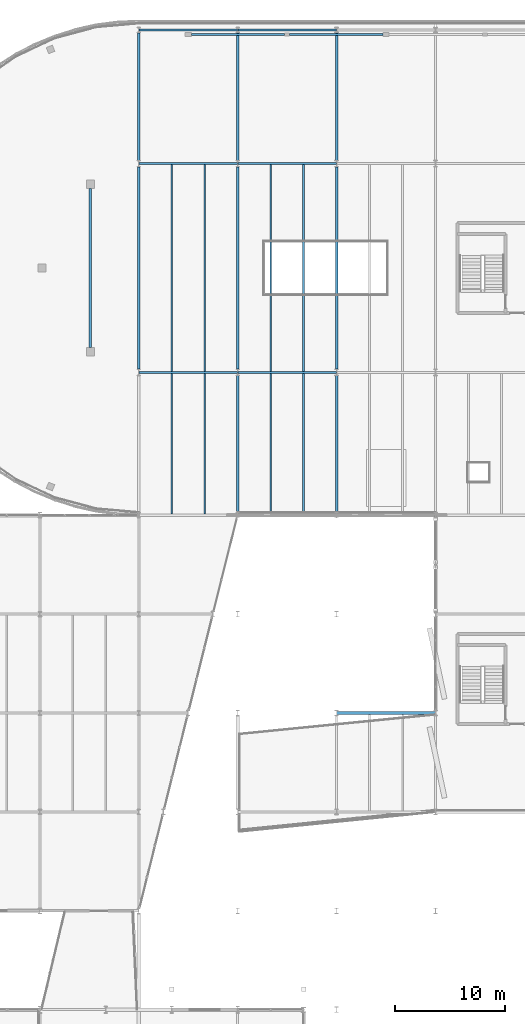
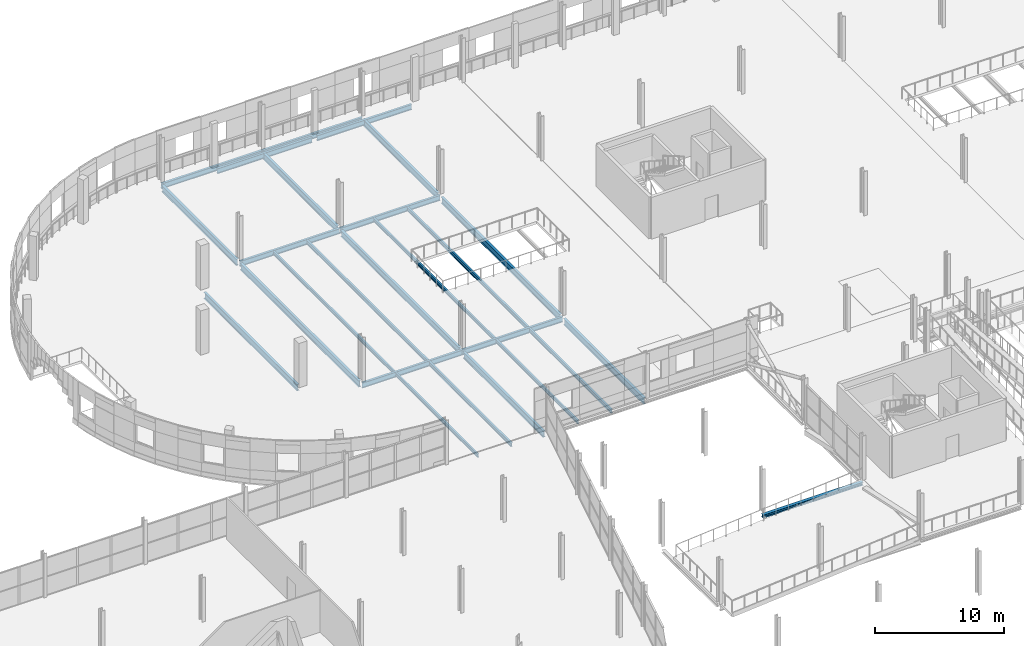
# One storey, part 71 of 135: 26 beams.
"""IFC4 building model written with IfcOpenShell, lengths in metres."""

import ifcopenshell
import ifcopenshell.guid

model = None  # the IFC model being written
_history = None  # IfcOwnerHistory: only IFC2X3 demands one
_inside = {}  # id of a spatial element -> (the spatial element, [elements in it])
_under = {}  # id of a project, library or spatial element -> (it, [spatial elements below it])
_declared = {}  # id of a project -> (the project, [libraries it declares])
_typed = {}  # id of a type object -> (the type object, [elements of that type])
_made_of = {}  # id of a material, layer set ... -> (it, [elements and type objects made of it])


def new_model(schema):
    """Start an empty IFC model of exactly this schema.

    Asked for "IFC4X3", IfcOpenShell would pick the latest addendum, in which some entities
    have other attributes; the version numbers below select the first issue.
    IFC2X3 requires an IfcOwnerHistory on every rooted entity: one is made here for all.
    """
    global model, _history
    if schema == "IFC4X3":
        model = ifcopenshell.file(schema_version=(4, 3, 0, 0))
    else:
        model = ifcopenshell.file(schema=schema)
    _inside.clear()
    _under.clear()
    _declared.clear()
    _typed.clear()
    _made_of.clear()
    _history = None
    if model.schema == "IFC2X3":
        org = make("IfcOrganization", Name="unknown")
        user = make(
            "IfcPersonAndOrganization",
            ThePerson=make("IfcPerson", FamilyName="unknown"),
            TheOrganization=org,
        )
        app = make(
            "IfcApplication",
            ApplicationDeveloper=org,
            Version="unknown",
            ApplicationFullName="unknown",
            ApplicationIdentifier="unknown",
        )
        _history = make(
            "IfcOwnerHistory",
            OwningUser=user,
            OwningApplication=app,
            ChangeAction="ADDED",
            CreationDate=0,
        )
    return model


def make(cls, **values):
    """One entity of the class cls with the attributes given. An attribute that is None is left unset."""
    return model.create_entity(
        cls, **{name: value for name, value in values.items() if value is not None}
    )


def rooted(cls, **values):
    """An entity with a GlobalId (a new one), such as an element, a storey or a relation."""
    return make(cls, GlobalId=ifcopenshell.guid.new(), OwnerHistory=_history, **values)


def si_unit(unit_type, name, prefix=None):
    """IfcSIUnit, for example si_unit("LENGTHUNIT", "METRE", prefix="MILLI")."""
    return make("IfcSIUnit", UnitType=unit_type, Prefix=prefix, Name=name)


def assignment(units):
    """IfcUnitAssignment: the units of a project."""
    return None if units is None else make("IfcUnitAssignment", Units=units)


def point(xyz):
    """IfcCartesianPoint."""
    return None if xyz is None else make("IfcCartesianPoint", Coordinates=xyz)


def direction(xyz):
    """IfcDirection."""
    return None if xyz is None else make("IfcDirection", DirectionRatios=xyz)


def frame(location, z_axis=None, x_axis=None):
    """IfcAxis2Placement3D, a coordinate frame: its origin and axes. An axis left out is left unset."""
    return make(
        "IfcAxis2Placement3D",
        Location=point(location),
        Axis=direction(z_axis),
        RefDirection=direction(x_axis),
    )


def frame_2d(location, x_axis=None):
    """IfcAxis2Placement2D, a coordinate frame in the plane: its origin and x axis."""
    return make(
        "IfcAxis2Placement2D", Location=point(location), RefDirection=direction(x_axis)
    )


def origin():
    """The frame at (0, 0, 0) with its axes left unset."""
    return frame((0.0, 0.0, 0.0))


def origin_2d():
    """The frame at (0, 0) in the plane with its x axis left unset."""
    return frame_2d((0.0, 0.0))


def place(relative_to, where):
    """IfcLocalPlacement: puts the frame where relative to a parent placement (None: the world)."""
    return make(
        "IfcLocalPlacement", PlacementRelTo=relative_to, RelativePlacement=where
    )


def context(
    kind, dimensions, precision=None, world=None, true_north=None, identifier=None
):
    """IfcGeometricRepresentationContext, for example the 3D "Model" context."""
    return make(
        "IfcGeometricRepresentationContext",
        ContextIdentifier=identifier,
        ContextType=kind,
        CoordinateSpaceDimension=dimensions,
        Precision=precision,
        WorldCoordinateSystem=world,
        TrueNorth=true_north,
    )


def subcontext(parent, identifier, kind, view, scale=None):
    """IfcGeometricRepresentationSubContext, for example "Body" below "Model"."""
    return make(
        "IfcGeometricRepresentationSubContext",
        ContextIdentifier=identifier,
        ContextType=kind,
        ParentContext=parent,
        TargetScale=scale,
        TargetView=view,
    )


def project(units=None, contexts=None):
    """IfcProject with its units and contexts."""
    return rooted(
        "IfcProject",
        Name="project",
        RepresentationContexts=contexts,
        UnitsInContext=assignment(units),
    )


def spatial(cls, under=None, at=None, **own):
    """A site, building, storey or space (cls), placed at a placement, below another one or the project."""
    s = rooted(cls, ObjectPlacement=at, **own)
    if under is not None:
        _under.setdefault(under.id(), (under, []))[1].append(s)
    return s


def profile(cls, at=None, kind="AREA", **sizes):
    """A parametric profile (cls). Its sizes go by their IFC names, for example OverallWidth=200.0."""
    return make(cls, ProfileType=kind, Position=at, **sizes)


def i_section(**sizes):
    """IfcIShapeProfileDef."""
    return profile("IfcIShapeProfileDef", **sizes)


def extrude(swept, where, along, depth):
    """IfcExtrudedAreaSolid: the profile swept, set in the frame where, extruded along a direction by depth."""
    return make(
        "IfcExtrudedAreaSolid",
        SweptArea=swept,
        Position=where,
        ExtrudedDirection=direction(along),
        Depth=depth,
    )


def shape(context_of_items, identifier, shape_type, items):
    """IfcShapeRepresentation: the items that make up one representation, for example the "Body"."""
    return make(
        "IfcShapeRepresentation",
        ContextOfItems=context_of_items,
        RepresentationIdentifier=identifier,
        RepresentationType=shape_type,
        Items=items,
    )


def material(Name=None, Category=None):
    """IfcMaterial."""
    return make("IfcMaterial", Name=Name, Category=Category)


def material_profile(
    of_material, cross_section, Name=None, Category=None, Priority=None
):
    """IfcMaterialProfile: a cross section and its material."""
    return make(
        "IfcMaterialProfile",
        Name=Name,
        Material=of_material,
        Profile=cross_section,
        Priority=Priority,
        Category=Category,
    )


def profile_set(profiles, Name=None, composite=None):
    """IfcMaterialProfileSet."""
    return make(
        "IfcMaterialProfileSet",
        Name=Name,
        MaterialProfiles=profiles,
        CompositeProfile=composite,
    )


def made_of(thing, what):
    """Note that an element or type object is made of a material, layer set ...; save() writes the relation."""
    if what is not None:
        _made_of.setdefault(what.id(), (what, []))[1].append(thing)
    return thing


def type_object(cls, material=None, **own):
    """A type object (cls), such as IfcWallType, which elements share."""
    return made_of(rooted(cls, **own), material)


def element(
    cls,
    number,
    at=None,
    inside=None,
    cuts=None,
    type_object=None,
    material=None,
    context=None,
    identifier="Body",
    shape_type=None,
    held_by="IfcProductDefinitionShape",
    body=None,
    shapes=None,
    **own,
):
    """One element of the class cls, such as IfcWall. Its Tag is "e" and its number.

    at: its placement. inside: the storey or other place that contains it. cuts: it is an
    opening in that element (IfcRelVoidsElement). A single representation is given by context,
    identifier, shape_type and body (its items); several are given by shapes. held_by: the class
    of the entity that holds the representations. save() writes the other relations.
    """
    e = rooted(cls, Tag="e%d" % number, ObjectPlacement=at, **own)
    if body is not None:
        shapes = [shape(context, identifier, shape_type, body)]
    if shapes is not None:
        e.Representation = make(held_by, Representations=shapes)
    if inside is not None:
        _inside.setdefault(inside.id(), (inside, []))[1].append(e)
    if cuts is not None:
        rooted(
            "IfcRelVoidsElement", RelatingBuildingElement=cuts, RelatedOpeningElement=e
        )
    if type_object is not None:
        _typed.setdefault(type_object.id(), (type_object, []))[1].append(e)
    return made_of(e, material)


def aggregate(whole, parts):
    """IfcRelAggregates: a whole, such as a stair, and the parts it consists of."""
    return rooted("IfcRelAggregates", RelatingObject=whole, RelatedObjects=parts)


def save(model, path):
    """Write the relations noted so far, then the file.

    IfcRelAggregates (storeys below a building ...), IfcRelContainedInSpatialStructure (elements
    in a storey), IfcRelDefinesByType, IfcRelAssociatesMaterial and IfcRelDeclares: one each for
    every whole, place, type object, material and project.
    """
    for whole, parts in _under.values():
        aggregate(whole, parts)
    for where, things in _inside.values():
        rooted(
            "IfcRelContainedInSpatialStructure",
            RelatedElements=things,
            RelatingStructure=where,
        )
    for kind, things in _typed.values():
        rooted("IfcRelDefinesByType", RelatedObjects=things, RelatingType=kind)
    for what, things in _made_of.values():
        rooted("IfcRelAssociatesMaterial", RelatedObjects=things, RelatingMaterial=what)
    for by, libraries in _declared.values():
        rooted("IfcRelDeclares", RelatingContext=by, RelatedDefinitions=libraries)
    model.write(path)


model = new_model("IFC4")

# Units and contexts
model_context = context("Model", 3, precision=1e-05, world=origin(), true_north=direction((0.0, 1.0)))
body_context = subcontext(model_context, "Body", "Model", "MODEL_VIEW")
ifc_project = project(units=[si_unit("LENGTHUNIT", "METRE"), si_unit("AREAUNIT", "SQUARE_METRE"), si_unit("VOLUMEUNIT", "CUBIC_METRE"), si_unit("PLANEANGLEUNIT", "RADIAN"), si_unit("MASSUNIT", "GRAM", prefix="KILO")], contexts=[model_context])

# Site, building, storey
site_placement = place(None, origin())
site = spatial("IfcSite", under=ifc_project, at=site_placement, CompositionType="ELEMENT")
building_placement = place(site_placement, origin())
building = spatial("IfcBuilding", under=site, at=building_placement, Name="Deido Ridge Mobility Hub", CompositionType="ELEMENT")
storey_placement = place(building_placement, frame((0.0, 0.0, 4.199951171875)))
storey = spatial("IfcBuildingStorey", under=building, at=storey_placement, Name="L01", CompositionType="ELEMENT", Elevation=4.199951171875)

# Beams
ifc_material = material(Name="Steel S355J2 EN 10025-2", Category="steel")
ifc_material_profile_1 = material_profile(ifc_material, i_section(OverallWidth=0.199951171875, OverallDepth=0.5, WebThickness=0.01025390625, FlangeThickness=0.01611328125, FilletRadius=0.02099609375, at=origin_2d()), Name="IPE 500")
ifc_profile_set_1 = profile_set([ifc_material_profile_1], Name="Steel S355J2 EN 10025-2")
beam_type_1 = type_object("IfcBeamType", Name="BM-IPE500", PredefinedType="BEAM", material=ifc_profile_set_1)
for number, where, z_axis, x_axis, name in (
    (1, (45.0078125, 94.0, -0.5), (1.0, 0.0, 0.0), (0.0, 1.0, 0.0), "Floor beam B3"),
    (2, (54.0078125, 94.0, -0.5), (1.0, 0.0, 0.0), (0.0, 1.0, 0.0), "Floor beam B3"),
    (3, (45.0078125, 113.0, -0.5), (1.0, 0.0, 0.0), (0.0, 1.0, 0.0), "Floor beam B3"),
    (4, (54.0078125, 113.0, -0.5), (1.0, 0.0, 0.0), (0.0, 1.0, 0.0), "Floor beam B3"),
):
    element("IfcBeam", number, at=place(storey_placement, frame(where, z_axis=z_axis, x_axis=x_axis)), inside=storey, type_object=beam_type_1, Name=name, PredefinedType="BEAM", context=body_context, shape_type="SweptSolid", body=[
        extrude(i_section(OverallWidth=0.199951171875, OverallDepth=0.5, WebThickness=0.01025390625, FlangeThickness=0.01611328125, FilletRadius=0.02099609375, at=origin_2d()), origin(), (0.0, 0.0, 1.0), 8.984375),
    ])
for number, where, z_axis, x_axis, name in (
    (5, (45.007080078125, 125.14990234375, -0.5), (1.0, 0.0, 0.0), (0.0, 1.0, 0.0), "Floor beam B3"),
    (6, (54.007080078125, 125.14990234375, -0.5), (1.0, 0.0, 0.0), (0.0, 1.0, 0.0), "Floor beam B3"),
):
    element("IfcBeam", number, at=place(storey_placement, frame(where, z_axis=z_axis, x_axis=x_axis)), inside=storey, type_object=beam_type_1, Name=name, PredefinedType="BEAM", context=body_context, shape_type="SweptSolid", body=[
        extrude(i_section(OverallWidth=0.199951171875, OverallDepth=0.5, WebThickness=0.01025390625, FlangeThickness=0.01611328125, FilletRadius=0.02099609375, at=origin_2d()), origin(), (0.0, 0.0, 1.0), 8.98583984375),
    ])
for number, where, z_axis, x_axis, name in (
    (7, (49.77490234375, 124.75, -0.5), (1.0, 0.0, 0.0), (0.0, 1.0, 0.0), "Floor beam B3"),
    (8, (58.72509765625, 124.75, -0.5), (1.0, 0.0, 0.0), (0.0, 1.0, 0.0), "Floor beam B3"),
):
    element("IfcBeam", number, at=place(storey_placement, frame(where, z_axis=z_axis, x_axis=x_axis)), inside=storey, type_object=beam_type_1, Name=name, PredefinedType="BEAM", context=body_context, shape_type="SweptSolid", body=[
        extrude(i_section(OverallWidth=0.199951171875, OverallDepth=0.5, WebThickness=0.01025390625, FlangeThickness=0.01611328125, FilletRadius=0.02099609375, at=origin_2d()), origin(), (0.0, 0.0, 1.0), 8.5),
    ])
ifc_material_profile_2 = material_profile(ifc_material, i_section(OverallWidth=0.219970703125, OverallDepth=0.60009765625, WebThickness=0.011962890625, FlangeThickness=0.01904296875, FilletRadius=0.02392578125, at=origin_2d()), Name="IPE 600")
ifc_profile_set_2 = profile_set([ifc_material_profile_2], Name="Steel S355J2 EN 10025-2")
beam_type_2 = type_object("IfcBeamType", Name="BM-IPE600", PredefinedType="BEAM", material=ifc_profile_set_2)
beam_1_placement = place(storey_placement, frame((40.60009765625, 96.2548828125, -0.550048828125), z_axis=(0.0, 1.0, 0.0), x_axis=(-1.0, 0.0, 0.0)))
element("IfcBeam", 9, at=beam_1_placement, inside=storey, type_object=beam_type_2, Name="Floor beam B1", PredefinedType="BEAM", context=body_context, shape_type="SweptSolid", body=[
    extrude(i_section(OverallWidth=0.219970703125, OverallDepth=0.60009765625, WebThickness=0.011962890625, FlangeThickness=0.01904296875, FilletRadius=0.02392578125, at=origin_2d()), origin(), (0.0, 0.0, 1.0), 14.490234375),
])
beam_2_placement = place(storey_placement, frame((45.0, 94.300048828125, -0.550048828125), z_axis=(0.0, 1.0, 0.0), x_axis=(-1.0, 0.0, 0.0)))
element("IfcBeam", 10, at=beam_2_placement, inside=storey, type_object=beam_type_2, Name="Floor beam B1", PredefinedType="BEAM", context=body_context, shape_type="SweptSolid", body=[
    extrude(i_section(OverallWidth=0.219970703125, OverallDepth=0.60009765625, WebThickness=0.011962890625, FlangeThickness=0.01904296875, FilletRadius=0.02392578125, at=origin_2d()), origin(), (0.0, 0.0, 1.0), 18.39990234375),
])
beam_3_placement = place(storey_placement, frame((45.0, 113.300048828125, -0.550048828125), z_axis=(0.0, 1.0, 0.0), x_axis=(-1.0, 0.0, 0.0)))
element("IfcBeam", 11, at=beam_3_placement, inside=storey, type_object=beam_type_2, Name="Floor beam B1", PredefinedType="BEAM", context=body_context, shape_type="SweptSolid", body=[
    extrude(i_section(OverallWidth=0.219970703125, OverallDepth=0.60009765625, WebThickness=0.011962890625, FlangeThickness=0.01904296875, FilletRadius=0.02392578125, at=origin_2d()), origin(), (0.0, 0.0, 1.0), 11.599853515625),
])
beam_4_placement = place(storey_placement, frame((54.0, 81.25, -0.550048828125), z_axis=(0.0, 1.0, 0.0), x_axis=(-1.0, 0.0, 0.0)))
element("IfcBeam", 12, at=beam_4_placement, inside=storey, type_object=beam_type_2, Name="Floor beam B1", PredefinedType="BEAM", context=body_context, shape_type="SweptSolid", body=[
    extrude(i_section(OverallWidth=0.219970703125, OverallDepth=0.60009765625, WebThickness=0.011962890625, FlangeThickness=0.01904296875, FilletRadius=0.02392578125, at=origin_2d()), origin(), (0.0, 0.0, 1.0), 12.449951171875),
])
beam_5_placement = place(storey_placement, frame((54.0, 94.300048828125, -0.550048828125), z_axis=(0.0, 1.0, 0.0), x_axis=(-1.0, 0.0, 0.0)))
element("IfcBeam", 13, at=beam_5_placement, inside=storey, type_object=beam_type_2, Name="Floor beam B1", PredefinedType="BEAM", context=body_context, shape_type="SweptSolid", body=[
    extrude(i_section(OverallWidth=0.219970703125, OverallDepth=0.60009765625, WebThickness=0.011962890625, FlangeThickness=0.01904296875, FilletRadius=0.02392578125, at=origin_2d()), origin(), (0.0, 0.0, 1.0), 18.39990234375),
])
beam_6_placement = place(storey_placement, frame((54.0, 113.300048828125, -0.550048828125), z_axis=(0.0, 1.0, 0.0), x_axis=(-1.0, 0.0, 0.0)))
element("IfcBeam", 14, at=beam_6_placement, inside=storey, type_object=beam_type_2, Name="Floor beam B1", PredefinedType="BEAM", context=body_context, shape_type="SweptSolid", body=[
    extrude(i_section(OverallWidth=0.219970703125, OverallDepth=0.60009765625, WebThickness=0.011962890625, FlangeThickness=0.01904296875, FilletRadius=0.02392578125, at=origin_2d()), origin(), (0.0, 0.0, 1.0), 11.599853515625),
])
beam_7_placement = place(storey_placement, frame((63.0, 81.25, -0.550048828125), z_axis=(0.0, 1.0, 0.0), x_axis=(-1.0, 0.0, 0.0)))
element("IfcBeam", 15, at=beam_7_placement, inside=storey, type_object=beam_type_2, Name="Floor beam B1", PredefinedType="BEAM", context=body_context, shape_type="SweptSolid", body=[
    extrude(i_section(OverallWidth=0.219970703125, OverallDepth=0.60009765625, WebThickness=0.011962890625, FlangeThickness=0.01904296875, FilletRadius=0.02392578125, at=origin_2d()), origin(), (0.0, 0.0, 1.0), 12.449951171875),
])
beam_8_placement = place(storey_placement, frame((63.0, 94.300048828125, -0.550048828125), z_axis=(0.0, 1.0, 0.0), x_axis=(-1.0, 0.0, 0.0)))
element("IfcBeam", 16, at=beam_8_placement, inside=storey, type_object=beam_type_2, Name="Floor beam B1", PredefinedType="BEAM", context=body_context, shape_type="SweptSolid", body=[
    extrude(i_section(OverallWidth=0.219970703125, OverallDepth=0.60009765625, WebThickness=0.011962890625, FlangeThickness=0.01904296875, FilletRadius=0.02392578125, at=origin_2d()), origin(), (0.0, 0.0, 1.0), 18.39990234375),
])
beam_9_placement = place(storey_placement, frame((63.0, 113.300048828125, -0.550048828125), z_axis=(0.0, 1.0, 0.0), x_axis=(-1.0, 0.0, 0.0)))
element("IfcBeam", 17, at=beam_9_placement, inside=storey, type_object=beam_type_2, Name="Floor beam B1", PredefinedType="BEAM", context=body_context, shape_type="SweptSolid", body=[
    extrude(i_section(OverallWidth=0.219970703125, OverallDepth=0.60009765625, WebThickness=0.011962890625, FlangeThickness=0.01904296875, FilletRadius=0.02392578125, at=origin_2d()), origin(), (0.0, 0.0, 1.0), 11.599853515625),
])
ifc_material_profile_3 = material_profile(ifc_material, i_section(OverallWidth=0.159912109375, OverallDepth=0.330078125, WebThickness=0.007568359375, FlangeThickness=0.011474609375, FilletRadius=0.01806640625, at=origin_2d()), Name="IPE 330")
ifc_profile_set_3 = profile_set([ifc_material_profile_3], Name="Steel S355J2 EN 10025-2")
beam_type_3 = type_object("IfcBeamType", Name="JST-IPE330", PredefinedType="JOIST", material=ifc_profile_set_3)
beam_10_placement = place(storey_placement, frame((48.0, 81.10009765625, -0.4150390625), z_axis=(0.0, 1.0, 0.0), x_axis=(-1.0, 0.0, 0.0)))
element("IfcBeam", 18, at=beam_10_placement, inside=storey, type_object=beam_type_3, Name="Composite joist J2", PredefinedType="JOIST", context=body_context, shape_type="SweptSolid", body=[
    extrude(i_section(OverallWidth=0.159912109375, OverallDepth=0.330078125, WebThickness=0.007568359375, FlangeThickness=0.011474609375, FilletRadius=0.01806640625, at=origin_2d()), origin(), (0.0, 0.0, 1.0), 12.7998046875),
])
beam_11_placement = place(storey_placement, frame((57.0, 81.14990234375, -0.4150390625), z_axis=(0.0, 1.0, 0.0), x_axis=(-1.0, 0.0, 0.0)))
element("IfcBeam", 19, at=beam_11_placement, inside=storey, type_object=beam_type_3, Name="Composite joist J2", PredefinedType="JOIST", context=body_context, shape_type="SweptSolid", body=[
    extrude(i_section(OverallWidth=0.159912109375, OverallDepth=0.330078125, WebThickness=0.007568359375, FlangeThickness=0.011474609375, FilletRadius=0.01806640625, at=origin_2d()), origin(), (0.0, 0.0, 1.0), 12.75),
])
for number, where, z_axis, x_axis, name in (
    (20, (48.0, 94.10009765625, -0.4150390625), (0.0, 1.0, 0.0), (-1.0, 0.0, 0.0), "Composite joist J2"),
    (21, (57.0, 94.10009765625, -0.4150390625), (0.0, 1.0, 0.0), (-1.0, 0.0, 0.0), "Composite joist J2"),
):
    element("IfcBeam", number, at=place(storey_placement, frame(where, z_axis=z_axis, x_axis=x_axis)), inside=storey, type_object=beam_type_3, Name=name, PredefinedType="JOIST", context=body_context, shape_type="SweptSolid", body=[
        extrude(i_section(OverallWidth=0.159912109375, OverallDepth=0.330078125, WebThickness=0.007568359375, FlangeThickness=0.011474609375, FilletRadius=0.01806640625, at=origin_2d()), origin(), (0.0, 0.0, 1.0), 18.7998046875),
    ])
ifc_material_profile_4 = material_profile(ifc_material, i_section(OverallWidth=0.169921875, OverallDepth=0.360107421875, WebThickness=0.008056640625, FlangeThickness=0.0126953125, FilletRadius=0.01806640625, at=origin_2d()), Name="IPE 360")
ifc_profile_set_4 = profile_set([ifc_material_profile_4], Name="Steel S355J2 EN 10025-2")
beam_type_4 = type_object("IfcBeamType", Name="JST-IPE360", PredefinedType="JOIST", material=ifc_profile_set_4)
beam_12_placement = place(storey_placement, frame((51.0, 81.10009765625, -0.429931640625), z_axis=(0.0, 1.0, 0.0), x_axis=(-1.0, 0.0, 0.0)))
element("IfcBeam", 22, at=beam_12_placement, inside=storey, type_object=beam_type_4, Name="Composite joist J1", PredefinedType="JOIST", context=body_context, shape_type="SweptSolid", body=[
    extrude(i_section(OverallWidth=0.169921875, OverallDepth=0.360107421875, WebThickness=0.008056640625, FlangeThickness=0.0126953125, FilletRadius=0.01806640625, at=origin_2d()), origin(), (0.0, 0.0, 1.0), 12.7998046875),
])
beam_13_placement = place(storey_placement, frame((60.0, 81.14990234375, -0.429931640625), z_axis=(0.0, 1.0, 0.0), x_axis=(-1.0, 0.0, 0.0)))
element("IfcBeam", 23, at=beam_13_placement, inside=storey, type_object=beam_type_4, Name="Composite joist J1", PredefinedType="JOIST", context=body_context, shape_type="SweptSolid", body=[
    extrude(i_section(OverallWidth=0.169921875, OverallDepth=0.360107421875, WebThickness=0.008056640625, FlangeThickness=0.0126953125, FilletRadius=0.01806640625, at=origin_2d()), origin(), (0.0, 0.0, 1.0), 12.75),
])
for number, where, z_axis, x_axis, name in (
    (24, (51.0, 94.10009765625, -0.429931640625), (0.0, 1.0, 0.0), (-1.0, 0.0, 0.0), "Composite joist J1"),
    (25, (60.0, 94.10009765625, -0.429931640625), (0.0, 1.0, 0.0), (-1.0, 0.0, 0.0), "Composite joist J1"),
):
    element("IfcBeam", number, at=place(storey_placement, frame(where, z_axis=z_axis, x_axis=x_axis)), inside=storey, type_object=beam_type_4, Name=name, PredefinedType="JOIST", context=body_context, shape_type="SweptSolid", body=[
        extrude(i_section(OverallWidth=0.169921875, OverallDepth=0.360107421875, WebThickness=0.008056640625, FlangeThickness=0.0126953125, FilletRadius=0.01806640625, at=origin_2d()), origin(), (0.0, 0.0, 1.0), 18.7998046875),
    ])
ifc_material_profile_5 = material_profile(ifc_material, i_section(OverallWidth=0.300048828125, OverallDepth=0.300048828125, WebThickness=0.010986328125, FlangeThickness=0.01904296875, FilletRadius=0.027099609375, at=origin_2d()), Name="HEB 300")
ifc_profile_set_5 = profile_set([ifc_material_profile_5], Name="Steel S355J2 EN 10025-2")
beam_type_5 = type_object("IfcBeamType", Name="SPD-HEB300", PredefinedType="SPANDREL", material=ifc_profile_set_5)
beam_14_placement = place(storey_placement, frame((63.007080078125, 63.0, -0.39990234375), z_axis=(1.0, 0.0, 0.0), x_axis=(0.0, 1.0, 0.0)))
element("IfcBeam", 26, at=beam_14_placement, inside=storey, type_object=beam_type_5, Name="Floor beam SP1", PredefinedType="SPANDREL", context=body_context, shape_type="SweptSolid", body=[
    extrude(i_section(OverallWidth=0.300048828125, OverallDepth=0.300048828125, WebThickness=0.010986328125, FlangeThickness=0.01904296875, FilletRadius=0.027099609375, at=origin_2d()), origin(), (0.0, 0.0, 1.0), 8.98583984375),
])

save(model, "model.ifc")
